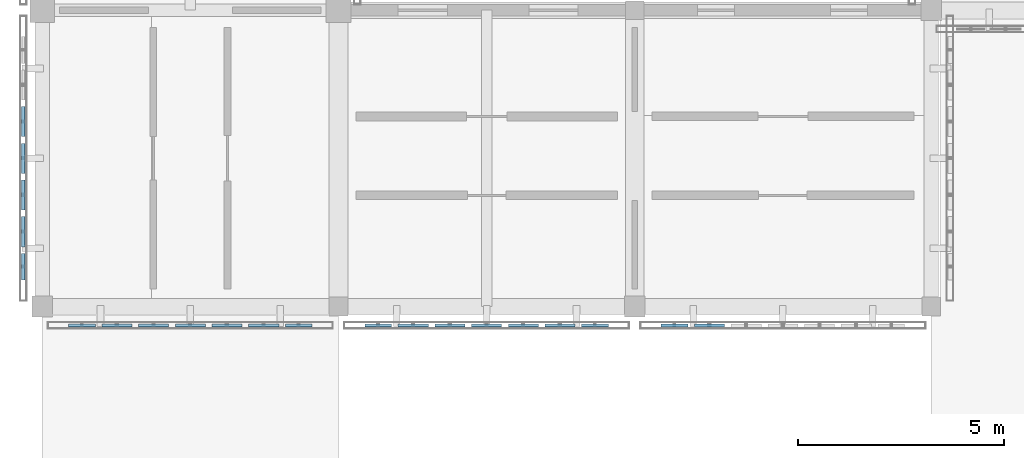
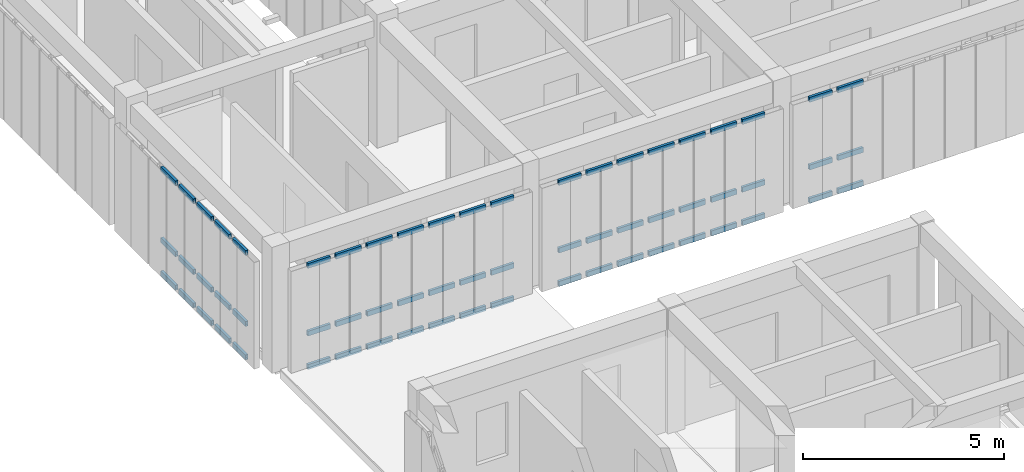
# One storey, part 16 of 67: 63 members, 4 elements without a shape of their own.
"""IFC4 building model written with IfcOpenShell, lengths in metres."""

from ifc_helpers import new_model, si_unit, direction, frame, origin, origin_2d, place, context, subcontext, project, spatial, hollow_rectangle, extrude, material, material_profile, profile_set, type_object, element, aggregate, save


model = new_model("IFC4")

# Units and contexts
model_context = context("Model", 3, precision=1e-05, world=origin(), true_north=direction((0.0, 1.0)))
body_context = subcontext(model_context, "Body", "Model", "MODEL_VIEW")
ifc_project = project(units=[si_unit("LENGTHUNIT", "METRE"), si_unit("AREAUNIT", "SQUARE_METRE"), si_unit("VOLUMEUNIT", "CUBIC_METRE"), si_unit("PLANEANGLEUNIT", "RADIAN"), si_unit("MASSUNIT", "GRAM", prefix="KILO")], contexts=[model_context])

# Site, building, storey
site_placement = place(None, origin())
site = spatial("IfcSite", under=ifc_project, at=site_placement, CompositionType="ELEMENT")
building_placement = place(site_placement, origin())
building = spatial("IfcBuilding", under=site, at=building_placement, Name="Aldebral Square Health Centre", CompositionType="ELEMENT")
storey_placement = place(building_placement, frame((0.0, 0.0, 13.5)))
storey = spatial("IfcBuildingStorey", under=building, at=storey_placement, Name="L03", CompositionType="ELEMENT", Elevation=13.5)

# Curtain wall, members
ifc_material_1 = material(Name="Aluminium and low-E solar glass", Category="aluminium")
curtain_wall_type = type_object("IfcCurtainWallType", Name="CW-FIN-SYS", PredefinedType="USERDEFINED", material=ifc_material_1)
curtain_wall_1_placement = place(storey_placement, origin())
curtain_wall_1 = element("IfcCurtainWall", 1, at=curtain_wall_1_placement, inside=storey, type_object=curtain_wall_type, Name="L03 V4 finned curtain wall L03-V4-00-08-S", ObjectType="SOLAR_CURTAIN_WALL", PredefinedType="USERDEFINED")
ifc_material_2 = material(Name="Anodised aluminium transom", Category="aluminium")
ifc_material_profile = material_profile(ifc_material_2, hollow_rectangle(XDim=0.074951171875, YDim=0.14990234375, WallThickness=0.00390625, at=origin_2d()), Name="CWT 75x150x4")
ifc_profile_set = profile_set([ifc_material_profile], Name="Anodised aluminium transom")
member_type = type_object("IfcMemberType", Name="CWT-STD", PredefinedType="USERDEFINED", material=ifc_profile_set)
member_1_placement = place(storey_placement, frame((0.639892578125, 57.139892578125, 0.03759765625), z_axis=(1.0, 0.0, 0.0), x_axis=(0.0, 1.0, 0.0)))
member_1 = element("IfcMember", 2, at=member_1_placement, type_object=member_type, Name="CW1 transom 1.1", ObjectType="TRANSOM", PredefinedType="USERDEFINED", context=body_context, shape_type="SweptSolid", body=[
    extrude(hollow_rectangle(XDim=0.074951171875, YDim=0.14990234375, WallThickness=0.00390625, at=origin_2d()), origin(), (0.0, 0.0, 1.0), 0.651611328125),
])
member_2_placement = place(storey_placement, frame((0.639892578125, 57.139892578125, 1.050048828125), z_axis=(1.0, 0.0, 0.0), x_axis=(0.0, 1.0, 0.0)))
member_2 = element("IfcMember", 3, at=member_2_placement, type_object=member_type, Name="CW1 transom 1.2", ObjectType="TRANSOM", PredefinedType="USERDEFINED", context=body_context, shape_type="SweptSolid", body=[
    extrude(hollow_rectangle(XDim=0.074951171875, YDim=0.14990234375, WallThickness=0.00390625, at=origin_2d()), origin(), (0.0, 0.0, 1.0), 0.651611328125),
])
member_3_placement = place(storey_placement, frame((0.639892578125, 57.139892578125, 3.1025390625), z_axis=(1.0, 0.0, 0.0), x_axis=(0.0, 1.0, 0.0)))
member_3 = element("IfcMember", 4, at=member_3_placement, type_object=member_type, Name="CW1 transom 1.3", ObjectType="TRANSOM", PredefinedType="USERDEFINED", context=body_context, shape_type="SweptSolid", body=[
    extrude(hollow_rectangle(XDim=0.074951171875, YDim=0.14990234375, WallThickness=0.00390625, at=origin_2d()), origin(), (0.0, 0.0, 1.0), 0.651611328125),
])
member_4_placement = place(storey_placement, frame((1.451416015625, 57.139892578125, 0.03759765625), z_axis=(1.0, 0.0, 0.0), x_axis=(0.0, 1.0, 0.0)))
member_4 = element("IfcMember", 5, at=member_4_placement, type_object=member_type, Name="CW1 transom 2.1", ObjectType="TRANSOM", PredefinedType="USERDEFINED", context=body_context, shape_type="SweptSolid", body=[
    extrude(hollow_rectangle(XDim=0.074951171875, YDim=0.14990234375, WallThickness=0.00390625, at=origin_2d()), origin(), (0.0, 0.0, 1.0), 0.7314453125),
])
member_5_placement = place(storey_placement, frame((1.451416015625, 57.139892578125, 1.050048828125), z_axis=(1.0, 0.0, 0.0), x_axis=(0.0, 1.0, 0.0)))
member_5 = element("IfcMember", 6, at=member_5_placement, type_object=member_type, Name="CW1 transom 2.2", ObjectType="TRANSOM", PredefinedType="USERDEFINED", context=body_context, shape_type="SweptSolid", body=[
    extrude(hollow_rectangle(XDim=0.074951171875, YDim=0.14990234375, WallThickness=0.00390625, at=origin_2d()), origin(), (0.0, 0.0, 1.0), 0.7314453125),
])
member_6_placement = place(storey_placement, frame((1.451416015625, 57.139892578125, 3.1025390625), z_axis=(1.0, 0.0, 0.0), x_axis=(0.0, 1.0, 0.0)))
member_6 = element("IfcMember", 7, at=member_6_placement, type_object=member_type, Name="CW1 transom 2.3", ObjectType="TRANSOM", PredefinedType="USERDEFINED", context=body_context, shape_type="SweptSolid", body=[
    extrude(hollow_rectangle(XDim=0.074951171875, YDim=0.14990234375, WallThickness=0.00390625, at=origin_2d()), origin(), (0.0, 0.0, 1.0), 0.7314453125),
])
member_7_placement = place(storey_placement, frame((2.3427734375, 57.139892578125, 0.03759765625), z_axis=(1.0, 0.0, 0.0), x_axis=(0.0, 1.0, 0.0)))
member_7 = element("IfcMember", 8, at=member_7_placement, type_object=member_type, Name="CW1 transom 3.1", ObjectType="TRANSOM", PredefinedType="USERDEFINED", context=body_context, shape_type="SweptSolid", body=[
    extrude(hollow_rectangle(XDim=0.074951171875, YDim=0.14990234375, WallThickness=0.00390625, at=origin_2d()), origin(), (0.0, 0.0, 1.0), 0.7314453125),
])
member_8_placement = place(storey_placement, frame((2.3427734375, 57.139892578125, 1.050048828125), z_axis=(1.0, 0.0, 0.0), x_axis=(0.0, 1.0, 0.0)))
member_8 = element("IfcMember", 9, at=member_8_placement, type_object=member_type, Name="CW1 transom 3.2", ObjectType="TRANSOM", PredefinedType="USERDEFINED", context=body_context, shape_type="SweptSolid", body=[
    extrude(hollow_rectangle(XDim=0.074951171875, YDim=0.14990234375, WallThickness=0.00390625, at=origin_2d()), origin(), (0.0, 0.0, 1.0), 0.7314453125),
])
member_9_placement = place(storey_placement, frame((2.3427734375, 57.139892578125, 3.1025390625), z_axis=(1.0, 0.0, 0.0), x_axis=(0.0, 1.0, 0.0)))
member_9 = element("IfcMember", 10, at=member_9_placement, type_object=member_type, Name="CW1 transom 3.3", ObjectType="TRANSOM", PredefinedType="USERDEFINED", context=body_context, shape_type="SweptSolid", body=[
    extrude(hollow_rectangle(XDim=0.074951171875, YDim=0.14990234375, WallThickness=0.00390625, at=origin_2d()), origin(), (0.0, 0.0, 1.0), 0.7314453125),
])
member_10_placement = place(storey_placement, frame((3.234375, 57.139892578125, 0.03759765625), z_axis=(1.0, 0.0, 0.0), x_axis=(0.0, 1.0, 0.0)))
member_10 = element("IfcMember", 11, at=member_10_placement, type_object=member_type, Name="CW1 transom 4.1", ObjectType="TRANSOM", PredefinedType="USERDEFINED", context=body_context, shape_type="SweptSolid", body=[
    extrude(hollow_rectangle(XDim=0.074951171875, YDim=0.14990234375, WallThickness=0.00390625, at=origin_2d()), origin(), (0.0, 0.0, 1.0), 0.7314453125),
])
member_11_placement = place(storey_placement, frame((3.234375, 57.139892578125, 1.050048828125), z_axis=(1.0, 0.0, 0.0), x_axis=(0.0, 1.0, 0.0)))
member_11 = element("IfcMember", 12, at=member_11_placement, type_object=member_type, Name="CW1 transom 4.2", ObjectType="TRANSOM", PredefinedType="USERDEFINED", context=body_context, shape_type="SweptSolid", body=[
    extrude(hollow_rectangle(XDim=0.074951171875, YDim=0.14990234375, WallThickness=0.00390625, at=origin_2d()), origin(), (0.0, 0.0, 1.0), 0.7314453125),
])
member_12_placement = place(storey_placement, frame((3.234375, 57.139892578125, 3.1025390625), z_axis=(1.0, 0.0, 0.0), x_axis=(0.0, 1.0, 0.0)))
member_12 = element("IfcMember", 13, at=member_12_placement, type_object=member_type, Name="CW1 transom 4.3", ObjectType="TRANSOM", PredefinedType="USERDEFINED", context=body_context, shape_type="SweptSolid", body=[
    extrude(hollow_rectangle(XDim=0.074951171875, YDim=0.14990234375, WallThickness=0.00390625, at=origin_2d()), origin(), (0.0, 0.0, 1.0), 0.7314453125),
])
member_13_placement = place(storey_placement, frame((4.125732421875, 57.139892578125, 0.03759765625), z_axis=(1.0, 0.0, 0.0), x_axis=(0.0, 1.0, 0.0)))
member_13 = element("IfcMember", 14, at=member_13_placement, type_object=member_type, Name="CW1 transom 5.1", ObjectType="TRANSOM", PredefinedType="USERDEFINED", context=body_context, shape_type="SweptSolid", body=[
    extrude(hollow_rectangle(XDim=0.074951171875, YDim=0.14990234375, WallThickness=0.00390625, at=origin_2d()), origin(), (0.0, 0.0, 1.0), 0.7314453125),
])
member_14_placement = place(storey_placement, frame((4.125732421875, 57.139892578125, 1.050048828125), z_axis=(1.0, 0.0, 0.0), x_axis=(0.0, 1.0, 0.0)))
member_14 = element("IfcMember", 15, at=member_14_placement, type_object=member_type, Name="CW1 transom 5.2", ObjectType="TRANSOM", PredefinedType="USERDEFINED", context=body_context, shape_type="SweptSolid", body=[
    extrude(hollow_rectangle(XDim=0.074951171875, YDim=0.14990234375, WallThickness=0.00390625, at=origin_2d()), origin(), (0.0, 0.0, 1.0), 0.7314453125),
])
member_15_placement = place(storey_placement, frame((4.125732421875, 57.139892578125, 3.1025390625), z_axis=(1.0, 0.0, 0.0), x_axis=(0.0, 1.0, 0.0)))
member_15 = element("IfcMember", 16, at=member_15_placement, type_object=member_type, Name="CW1 transom 5.3", ObjectType="TRANSOM", PredefinedType="USERDEFINED", context=body_context, shape_type="SweptSolid", body=[
    extrude(hollow_rectangle(XDim=0.074951171875, YDim=0.14990234375, WallThickness=0.00390625, at=origin_2d()), origin(), (0.0, 0.0, 1.0), 0.7314453125),
])
member_16_placement = place(storey_placement, frame((5.01708984375, 57.139892578125, 0.03759765625), z_axis=(1.0, 0.0, 0.0), x_axis=(0.0, 1.0, 0.0)))
member_16 = element("IfcMember", 17, at=member_16_placement, type_object=member_type, Name="CW1 transom 6.1", ObjectType="TRANSOM", PredefinedType="USERDEFINED", context=body_context, shape_type="SweptSolid", body=[
    extrude(hollow_rectangle(XDim=0.074951171875, YDim=0.14990234375, WallThickness=0.00390625, at=origin_2d()), origin(), (0.0, 0.0, 1.0), 0.7314453125),
])
member_17_placement = place(storey_placement, frame((5.01708984375, 57.139892578125, 1.050048828125), z_axis=(1.0, 0.0, 0.0), x_axis=(0.0, 1.0, 0.0)))
member_17 = element("IfcMember", 18, at=member_17_placement, type_object=member_type, Name="CW1 transom 6.2", ObjectType="TRANSOM", PredefinedType="USERDEFINED", context=body_context, shape_type="SweptSolid", body=[
    extrude(hollow_rectangle(XDim=0.074951171875, YDim=0.14990234375, WallThickness=0.00390625, at=origin_2d()), origin(), (0.0, 0.0, 1.0), 0.7314453125),
])
member_18_placement = place(storey_placement, frame((5.01708984375, 57.139892578125, 3.1025390625), z_axis=(1.0, 0.0, 0.0), x_axis=(0.0, 1.0, 0.0)))
member_18 = element("IfcMember", 19, at=member_18_placement, type_object=member_type, Name="CW1 transom 6.3", ObjectType="TRANSOM", PredefinedType="USERDEFINED", context=body_context, shape_type="SweptSolid", body=[
    extrude(hollow_rectangle(XDim=0.074951171875, YDim=0.14990234375, WallThickness=0.00390625, at=origin_2d()), origin(), (0.0, 0.0, 1.0), 0.7314453125),
])
member_19_placement = place(storey_placement, frame((5.90869140625, 57.139892578125, 0.03759765625), z_axis=(1.0, 0.0, 0.0), x_axis=(0.0, 1.0, 0.0)))
member_19 = element("IfcMember", 20, at=member_19_placement, type_object=member_type, Name="CW1 transom 7.1", ObjectType="TRANSOM", PredefinedType="USERDEFINED", context=body_context, shape_type="SweptSolid", body=[
    extrude(hollow_rectangle(XDim=0.074951171875, YDim=0.14990234375, WallThickness=0.00390625, at=origin_2d()), origin(), (0.0, 0.0, 1.0), 0.6513671875),
])
member_20_placement = place(storey_placement, frame((5.90869140625, 57.139892578125, 1.050048828125), z_axis=(1.0, 0.0, 0.0), x_axis=(0.0, 1.0, 0.0)))
member_20 = element("IfcMember", 21, at=member_20_placement, type_object=member_type, Name="CW1 transom 7.2", ObjectType="TRANSOM", PredefinedType="USERDEFINED", context=body_context, shape_type="SweptSolid", body=[
    extrude(hollow_rectangle(XDim=0.074951171875, YDim=0.14990234375, WallThickness=0.00390625, at=origin_2d()), origin(), (0.0, 0.0, 1.0), 0.6513671875),
])
member_21_placement = place(storey_placement, frame((5.90869140625, 57.139892578125, 3.1025390625), z_axis=(1.0, 0.0, 0.0), x_axis=(0.0, 1.0, 0.0)))
member_21 = element("IfcMember", 22, at=member_21_placement, type_object=member_type, Name="CW1 transom 7.3", ObjectType="TRANSOM", PredefinedType="USERDEFINED", context=body_context, shape_type="SweptSolid", body=[
    extrude(hollow_rectangle(XDim=0.074951171875, YDim=0.14990234375, WallThickness=0.00390625, at=origin_2d()), origin(), (0.0, 0.0, 1.0), 0.6513671875),
])
aggregate(curtain_wall_1, [member_1, member_2, member_3, member_4, member_5, member_6, member_7, member_8, member_9, member_10, member_11, member_12, member_13, member_14, member_15, member_16, member_17, member_18, member_19, member_20, member_21])

curtain_wall_2_placement = place(storey_placement, origin())
curtain_wall_2 = element("IfcCurtainWall", 23, at=curtain_wall_2_placement, inside=storey, type_object=curtain_wall_type, Name="L03 V4 finned curtain wall L03-V4-00-08-W", ObjectType="SOLAR_CURTAIN_WALL", PredefinedType="USERDEFINED")
member_22_placement = place(storey_placement, frame((-0.4599609375, 62.45703125, 0.03759765625), z_axis=(0.0, -1.0, 0.0), x_axis=(1.0, 0.0, 0.0)))
member_22 = element("IfcMember", 24, at=member_22_placement, type_object=member_type, Name="CW1 transom 3.1", ObjectType="TRANSOM", PredefinedType="USERDEFINED", context=body_context, shape_type="SweptSolid", body=[
    extrude(hollow_rectangle(XDim=0.074951171875, YDim=0.14990234375, WallThickness=0.00390625, at=origin_2d()), origin(), (0.0, 0.0, 1.0), 0.731201171875),
])
member_23_placement = place(storey_placement, frame((-0.4599609375, 62.45703125, 1.050048828125), z_axis=(0.0, -1.0, 0.0), x_axis=(1.0, 0.0, 0.0)))
member_23 = element("IfcMember", 25, at=member_23_placement, type_object=member_type, Name="CW1 transom 3.2", ObjectType="TRANSOM", PredefinedType="USERDEFINED", context=body_context, shape_type="SweptSolid", body=[
    extrude(hollow_rectangle(XDim=0.074951171875, YDim=0.14990234375, WallThickness=0.00390625, at=origin_2d()), origin(), (0.0, 0.0, 1.0), 0.731201171875),
])
member_24_placement = place(storey_placement, frame((-0.4599609375, 62.45703125, 3.202392578125), z_axis=(0.0, -1.0, 0.0), x_axis=(1.0, 0.0, 0.0)))
member_24 = element("IfcMember", 26, at=member_24_placement, type_object=member_type, Name="CW1 transom 3.3", ObjectType="TRANSOM", PredefinedType="USERDEFINED", context=body_context, shape_type="SweptSolid", body=[
    extrude(hollow_rectangle(XDim=0.074951171875, YDim=0.14990234375, WallThickness=0.00390625, at=origin_2d()), origin(), (0.0, 0.0, 1.0), 0.731201171875),
])
member_25_placement = place(storey_placement, frame((-0.4599609375, 61.565673828125, 0.03759765625), z_axis=(0.0, -1.0, 0.0), x_axis=(1.0, 0.0, 0.0)))
member_25 = element("IfcMember", 27, at=member_25_placement, type_object=member_type, Name="CW1 transom 4.1", ObjectType="TRANSOM", PredefinedType="USERDEFINED", context=body_context, shape_type="SweptSolid", body=[
    extrude(hollow_rectangle(XDim=0.074951171875, YDim=0.14990234375, WallThickness=0.00390625, at=origin_2d()), origin(), (0.0, 0.0, 1.0), 0.7314453125),
])
member_26_placement = place(storey_placement, frame((-0.4599609375, 61.565673828125, 1.050048828125), z_axis=(0.0, -1.0, 0.0), x_axis=(1.0, 0.0, 0.0)))
member_26 = element("IfcMember", 28, at=member_26_placement, type_object=member_type, Name="CW1 transom 4.2", ObjectType="TRANSOM", PredefinedType="USERDEFINED", context=body_context, shape_type="SweptSolid", body=[
    extrude(hollow_rectangle(XDim=0.074951171875, YDim=0.14990234375, WallThickness=0.00390625, at=origin_2d()), origin(), (0.0, 0.0, 1.0), 0.7314453125),
])
member_27_placement = place(storey_placement, frame((-0.4599609375, 61.565673828125, 3.202392578125), z_axis=(0.0, -1.0, 0.0), x_axis=(1.0, 0.0, 0.0)))
member_27 = element("IfcMember", 29, at=member_27_placement, type_object=member_type, Name="CW1 transom 4.3", ObjectType="TRANSOM", PredefinedType="USERDEFINED", context=body_context, shape_type="SweptSolid", body=[
    extrude(hollow_rectangle(XDim=0.074951171875, YDim=0.14990234375, WallThickness=0.00390625, at=origin_2d()), origin(), (0.0, 0.0, 1.0), 0.7314453125),
])
member_28_placement = place(storey_placement, frame((-0.4599609375, 60.67431640625, 0.03759765625), z_axis=(0.0, -1.0, 0.0), x_axis=(1.0, 0.0, 0.0)))
member_28 = element("IfcMember", 30, at=member_28_placement, type_object=member_type, Name="CW1 transom 5.1", ObjectType="TRANSOM", PredefinedType="USERDEFINED", context=body_context, shape_type="SweptSolid", body=[
    extrude(hollow_rectangle(XDim=0.074951171875, YDim=0.14990234375, WallThickness=0.00390625, at=origin_2d()), origin(), (0.0, 0.0, 1.0), 0.7314453125),
])
member_29_placement = place(storey_placement, frame((-0.4599609375, 60.67431640625, 1.050048828125), z_axis=(0.0, -1.0, 0.0), x_axis=(1.0, 0.0, 0.0)))
member_29 = element("IfcMember", 31, at=member_29_placement, type_object=member_type, Name="CW1 transom 5.2", ObjectType="TRANSOM", PredefinedType="USERDEFINED", context=body_context, shape_type="SweptSolid", body=[
    extrude(hollow_rectangle(XDim=0.074951171875, YDim=0.14990234375, WallThickness=0.00390625, at=origin_2d()), origin(), (0.0, 0.0, 1.0), 0.7314453125),
])
member_30_placement = place(storey_placement, frame((-0.4599609375, 60.67431640625, 3.202392578125), z_axis=(0.0, -1.0, 0.0), x_axis=(1.0, 0.0, 0.0)))
member_30 = element("IfcMember", 32, at=member_30_placement, type_object=member_type, Name="CW1 transom 5.3", ObjectType="TRANSOM", PredefinedType="USERDEFINED", context=body_context, shape_type="SweptSolid", body=[
    extrude(hollow_rectangle(XDim=0.074951171875, YDim=0.14990234375, WallThickness=0.00390625, at=origin_2d()), origin(), (0.0, 0.0, 1.0), 0.7314453125),
])
member_31_placement = place(storey_placement, frame((-0.4599609375, 59.782958984375, 0.03759765625), z_axis=(0.0, -1.0, 0.0), x_axis=(1.0, 0.0, 0.0)))
member_31 = element("IfcMember", 33, at=member_31_placement, type_object=member_type, Name="CW1 transom 6.1", ObjectType="TRANSOM", PredefinedType="USERDEFINED", context=body_context, shape_type="SweptSolid", body=[
    extrude(hollow_rectangle(XDim=0.074951171875, YDim=0.14990234375, WallThickness=0.00390625, at=origin_2d()), origin(), (0.0, 0.0, 1.0), 0.7314453125),
])
member_32_placement = place(storey_placement, frame((-0.4599609375, 59.782958984375, 1.050048828125), z_axis=(0.0, -1.0, 0.0), x_axis=(1.0, 0.0, 0.0)))
member_32 = element("IfcMember", 34, at=member_32_placement, type_object=member_type, Name="CW1 transom 6.2", ObjectType="TRANSOM", PredefinedType="USERDEFINED", context=body_context, shape_type="SweptSolid", body=[
    extrude(hollow_rectangle(XDim=0.074951171875, YDim=0.14990234375, WallThickness=0.00390625, at=origin_2d()), origin(), (0.0, 0.0, 1.0), 0.7314453125),
])
member_33_placement = place(storey_placement, frame((-0.4599609375, 59.782958984375, 3.202392578125), z_axis=(0.0, -1.0, 0.0), x_axis=(1.0, 0.0, 0.0)))
member_33 = element("IfcMember", 35, at=member_33_placement, type_object=member_type, Name="CW1 transom 6.3", ObjectType="TRANSOM", PredefinedType="USERDEFINED", context=body_context, shape_type="SweptSolid", body=[
    extrude(hollow_rectangle(XDim=0.074951171875, YDim=0.14990234375, WallThickness=0.00390625, at=origin_2d()), origin(), (0.0, 0.0, 1.0), 0.7314453125),
])
member_34_placement = place(storey_placement, frame((-0.4599609375, 58.891357421875, 0.03759765625), z_axis=(0.0, -1.0, 0.0), x_axis=(1.0, 0.0, 0.0)))
member_34 = element("IfcMember", 36, at=member_34_placement, type_object=member_type, Name="CW1 transom 7.1", ObjectType="TRANSOM", PredefinedType="USERDEFINED", context=body_context, shape_type="SweptSolid", body=[
    extrude(hollow_rectangle(XDim=0.074951171875, YDim=0.14990234375, WallThickness=0.00390625, at=origin_2d()), origin(), (0.0, 0.0, 1.0), 0.6513671875),
])
member_35_placement = place(storey_placement, frame((-0.4599609375, 58.891357421875, 1.050048828125), z_axis=(0.0, -1.0, 0.0), x_axis=(1.0, 0.0, 0.0)))
member_35 = element("IfcMember", 37, at=member_35_placement, type_object=member_type, Name="CW1 transom 7.2", ObjectType="TRANSOM", PredefinedType="USERDEFINED", context=body_context, shape_type="SweptSolid", body=[
    extrude(hollow_rectangle(XDim=0.074951171875, YDim=0.14990234375, WallThickness=0.00390625, at=origin_2d()), origin(), (0.0, 0.0, 1.0), 0.6513671875),
])
member_36_placement = place(storey_placement, frame((-0.4599609375, 58.891357421875, 3.202392578125), z_axis=(0.0, -1.0, 0.0), x_axis=(1.0, 0.0, 0.0)))
member_36 = element("IfcMember", 38, at=member_36_placement, type_object=member_type, Name="CW1 transom 7.3", ObjectType="TRANSOM", PredefinedType="USERDEFINED", context=body_context, shape_type="SweptSolid", body=[
    extrude(hollow_rectangle(XDim=0.074951171875, YDim=0.14990234375, WallThickness=0.00390625, at=origin_2d()), origin(), (0.0, 0.0, 1.0), 0.6513671875),
])
aggregate(curtain_wall_2, [member_22, member_23, member_24, member_25, member_26, member_27, member_28, member_29, member_30, member_31, member_32, member_33, member_34, member_35, member_36])

curtain_wall_3_placement = place(storey_placement, origin())
curtain_wall_3 = element("IfcCurtainWall", 39, at=curtain_wall_3_placement, inside=storey, type_object=curtain_wall_type, Name="L03 V4 finned curtain wall L03-V4-01-08-S", ObjectType="SOLAR_CURTAIN_WALL", PredefinedType="USERDEFINED")
member_37_placement = place(storey_placement, frame((7.840087890625, 57.139892578125, 0.03759765625), z_axis=(1.0, 0.0, 0.0), x_axis=(0.0, 1.0, 0.0)))
member_37 = element("IfcMember", 40, at=member_37_placement, type_object=member_type, Name="CW1 transom 1.1", ObjectType="TRANSOM", PredefinedType="USERDEFINED", context=body_context, shape_type="SweptSolid", body=[
    extrude(hollow_rectangle(XDim=0.074951171875, YDim=0.14990234375, WallThickness=0.00390625, at=origin_2d()), origin(), (0.0, 0.0, 1.0), 0.6513671875),
])
member_38_placement = place(storey_placement, frame((7.840087890625, 57.139892578125, 1.050048828125), z_axis=(1.0, 0.0, 0.0), x_axis=(0.0, 1.0, 0.0)))
member_38 = element("IfcMember", 41, at=member_38_placement, type_object=member_type, Name="CW1 transom 1.2", ObjectType="TRANSOM", PredefinedType="USERDEFINED", context=body_context, shape_type="SweptSolid", body=[
    extrude(hollow_rectangle(XDim=0.074951171875, YDim=0.14990234375, WallThickness=0.00390625, at=origin_2d()), origin(), (0.0, 0.0, 1.0), 0.6513671875),
])
member_39_placement = place(storey_placement, frame((7.840087890625, 57.139892578125, 3.1025390625), z_axis=(1.0, 0.0, 0.0), x_axis=(0.0, 1.0, 0.0)))
member_39 = element("IfcMember", 42, at=member_39_placement, type_object=member_type, Name="CW1 transom 1.3", ObjectType="TRANSOM", PredefinedType="USERDEFINED", context=body_context, shape_type="SweptSolid", body=[
    extrude(hollow_rectangle(XDim=0.074951171875, YDim=0.14990234375, WallThickness=0.00390625, at=origin_2d()), origin(), (0.0, 0.0, 1.0), 0.6513671875),
])
member_40_placement = place(storey_placement, frame((8.6513671875, 57.139892578125, 0.03759765625), z_axis=(1.0, 0.0, 0.0), x_axis=(0.0, 1.0, 0.0)))
member_40 = element("IfcMember", 43, at=member_40_placement, type_object=member_type, Name="CW1 transom 2.1", ObjectType="TRANSOM", PredefinedType="USERDEFINED", context=body_context, shape_type="SweptSolid", body=[
    extrude(hollow_rectangle(XDim=0.074951171875, YDim=0.14990234375, WallThickness=0.00390625, at=origin_2d()), origin(), (0.0, 0.0, 1.0), 0.7314453125),
])
member_41_placement = place(storey_placement, frame((8.6513671875, 57.139892578125, 1.050048828125), z_axis=(1.0, 0.0, 0.0), x_axis=(0.0, 1.0, 0.0)))
member_41 = element("IfcMember", 44, at=member_41_placement, type_object=member_type, Name="CW1 transom 2.2", ObjectType="TRANSOM", PredefinedType="USERDEFINED", context=body_context, shape_type="SweptSolid", body=[
    extrude(hollow_rectangle(XDim=0.074951171875, YDim=0.14990234375, WallThickness=0.00390625, at=origin_2d()), origin(), (0.0, 0.0, 1.0), 0.7314453125),
])
member_42_placement = place(storey_placement, frame((8.6513671875, 57.139892578125, 3.1025390625), z_axis=(1.0, 0.0, 0.0), x_axis=(0.0, 1.0, 0.0)))
member_42 = element("IfcMember", 45, at=member_42_placement, type_object=member_type, Name="CW1 transom 2.3", ObjectType="TRANSOM", PredefinedType="USERDEFINED", context=body_context, shape_type="SweptSolid", body=[
    extrude(hollow_rectangle(XDim=0.074951171875, YDim=0.14990234375, WallThickness=0.00390625, at=origin_2d()), origin(), (0.0, 0.0, 1.0), 0.7314453125),
])
member_43_placement = place(storey_placement, frame((9.54296875, 57.139892578125, 0.03759765625), z_axis=(1.0, 0.0, 0.0), x_axis=(0.0, 1.0, 0.0)))
member_43 = element("IfcMember", 46, at=member_43_placement, type_object=member_type, Name="CW1 transom 3.1", ObjectType="TRANSOM", PredefinedType="USERDEFINED", context=body_context, shape_type="SweptSolid", body=[
    extrude(hollow_rectangle(XDim=0.074951171875, YDim=0.14990234375, WallThickness=0.00390625, at=origin_2d()), origin(), (0.0, 0.0, 1.0), 0.731201171875),
])
member_44_placement = place(storey_placement, frame((9.54296875, 57.139892578125, 1.050048828125), z_axis=(1.0, 0.0, 0.0), x_axis=(0.0, 1.0, 0.0)))
member_44 = element("IfcMember", 47, at=member_44_placement, type_object=member_type, Name="CW1 transom 3.2", ObjectType="TRANSOM", PredefinedType="USERDEFINED", context=body_context, shape_type="SweptSolid", body=[
    extrude(hollow_rectangle(XDim=0.074951171875, YDim=0.14990234375, WallThickness=0.00390625, at=origin_2d()), origin(), (0.0, 0.0, 1.0), 0.731201171875),
])
member_45_placement = place(storey_placement, frame((9.54296875, 57.139892578125, 3.1025390625), z_axis=(1.0, 0.0, 0.0), x_axis=(0.0, 1.0, 0.0)))
member_45 = element("IfcMember", 48, at=member_45_placement, type_object=member_type, Name="CW1 transom 3.3", ObjectType="TRANSOM", PredefinedType="USERDEFINED", context=body_context, shape_type="SweptSolid", body=[
    extrude(hollow_rectangle(XDim=0.074951171875, YDim=0.14990234375, WallThickness=0.00390625, at=origin_2d()), origin(), (0.0, 0.0, 1.0), 0.731201171875),
])
member_46_placement = place(storey_placement, frame((10.434326171875, 57.139892578125, 0.03759765625), z_axis=(1.0, 0.0, 0.0), x_axis=(0.0, 1.0, 0.0)))
member_46 = element("IfcMember", 49, at=member_46_placement, type_object=member_type, Name="CW1 transom 4.1", ObjectType="TRANSOM", PredefinedType="USERDEFINED", context=body_context, shape_type="SweptSolid", body=[
    extrude(hollow_rectangle(XDim=0.074951171875, YDim=0.14990234375, WallThickness=0.00390625, at=origin_2d()), origin(), (0.0, 0.0, 1.0), 0.7314453125),
])
member_47_placement = place(storey_placement, frame((10.434326171875, 57.139892578125, 1.050048828125), z_axis=(1.0, 0.0, 0.0), x_axis=(0.0, 1.0, 0.0)))
member_47 = element("IfcMember", 50, at=member_47_placement, type_object=member_type, Name="CW1 transom 4.2", ObjectType="TRANSOM", PredefinedType="USERDEFINED", context=body_context, shape_type="SweptSolid", body=[
    extrude(hollow_rectangle(XDim=0.074951171875, YDim=0.14990234375, WallThickness=0.00390625, at=origin_2d()), origin(), (0.0, 0.0, 1.0), 0.7314453125),
])
member_48_placement = place(storey_placement, frame((10.434326171875, 57.139892578125, 3.1025390625), z_axis=(1.0, 0.0, 0.0), x_axis=(0.0, 1.0, 0.0)))
member_48 = element("IfcMember", 51, at=member_48_placement, type_object=member_type, Name="CW1 transom 4.3", ObjectType="TRANSOM", PredefinedType="USERDEFINED", context=body_context, shape_type="SweptSolid", body=[
    extrude(hollow_rectangle(XDim=0.074951171875, YDim=0.14990234375, WallThickness=0.00390625, at=origin_2d()), origin(), (0.0, 0.0, 1.0), 0.7314453125),
])
member_49_placement = place(storey_placement, frame((11.32568359375, 57.139892578125, 0.03759765625), z_axis=(1.0, 0.0, 0.0), x_axis=(0.0, 1.0, 0.0)))
member_49 = element("IfcMember", 52, at=member_49_placement, type_object=member_type, Name="CW1 transom 5.1", ObjectType="TRANSOM", PredefinedType="USERDEFINED", context=body_context, shape_type="SweptSolid", body=[
    extrude(hollow_rectangle(XDim=0.074951171875, YDim=0.14990234375, WallThickness=0.00390625, at=origin_2d()), origin(), (0.0, 0.0, 1.0), 0.7314453125),
])
member_50_placement = place(storey_placement, frame((11.32568359375, 57.139892578125, 1.050048828125), z_axis=(1.0, 0.0, 0.0), x_axis=(0.0, 1.0, 0.0)))
member_50 = element("IfcMember", 53, at=member_50_placement, type_object=member_type, Name="CW1 transom 5.2", ObjectType="TRANSOM", PredefinedType="USERDEFINED", context=body_context, shape_type="SweptSolid", body=[
    extrude(hollow_rectangle(XDim=0.074951171875, YDim=0.14990234375, WallThickness=0.00390625, at=origin_2d()), origin(), (0.0, 0.0, 1.0), 0.7314453125),
])
member_51_placement = place(storey_placement, frame((11.32568359375, 57.139892578125, 3.1025390625), z_axis=(1.0, 0.0, 0.0), x_axis=(0.0, 1.0, 0.0)))
member_51 = element("IfcMember", 54, at=member_51_placement, type_object=member_type, Name="CW1 transom 5.3", ObjectType="TRANSOM", PredefinedType="USERDEFINED", context=body_context, shape_type="SweptSolid", body=[
    extrude(hollow_rectangle(XDim=0.074951171875, YDim=0.14990234375, WallThickness=0.00390625, at=origin_2d()), origin(), (0.0, 0.0, 1.0), 0.7314453125),
])
member_52_placement = place(storey_placement, frame((12.217041015625, 57.139892578125, 0.03759765625), z_axis=(1.0, 0.0, 0.0), x_axis=(0.0, 1.0, 0.0)))
member_52 = element("IfcMember", 55, at=member_52_placement, type_object=member_type, Name="CW1 transom 6.1", ObjectType="TRANSOM", PredefinedType="USERDEFINED", context=body_context, shape_type="SweptSolid", body=[
    extrude(hollow_rectangle(XDim=0.074951171875, YDim=0.14990234375, WallThickness=0.00390625, at=origin_2d()), origin(), (0.0, 0.0, 1.0), 0.7314453125),
])
member_53_placement = place(storey_placement, frame((12.217041015625, 57.139892578125, 1.050048828125), z_axis=(1.0, 0.0, 0.0), x_axis=(0.0, 1.0, 0.0)))
member_53 = element("IfcMember", 56, at=member_53_placement, type_object=member_type, Name="CW1 transom 6.2", ObjectType="TRANSOM", PredefinedType="USERDEFINED", context=body_context, shape_type="SweptSolid", body=[
    extrude(hollow_rectangle(XDim=0.074951171875, YDim=0.14990234375, WallThickness=0.00390625, at=origin_2d()), origin(), (0.0, 0.0, 1.0), 0.7314453125),
])
member_54_placement = place(storey_placement, frame((12.217041015625, 57.139892578125, 3.1025390625), z_axis=(1.0, 0.0, 0.0), x_axis=(0.0, 1.0, 0.0)))
member_54 = element("IfcMember", 57, at=member_54_placement, type_object=member_type, Name="CW1 transom 6.3", ObjectType="TRANSOM", PredefinedType="USERDEFINED", context=body_context, shape_type="SweptSolid", body=[
    extrude(hollow_rectangle(XDim=0.074951171875, YDim=0.14990234375, WallThickness=0.00390625, at=origin_2d()), origin(), (0.0, 0.0, 1.0), 0.7314453125),
])
member_55_placement = place(storey_placement, frame((13.108642578125, 57.139892578125, 0.03759765625), z_axis=(1.0, 0.0, 0.0), x_axis=(0.0, 1.0, 0.0)))
member_55 = element("IfcMember", 58, at=member_55_placement, type_object=member_type, Name="CW1 transom 7.1", ObjectType="TRANSOM", PredefinedType="USERDEFINED", context=body_context, shape_type="SweptSolid", body=[
    extrude(hollow_rectangle(XDim=0.074951171875, YDim=0.14990234375, WallThickness=0.00390625, at=origin_2d()), origin(), (0.0, 0.0, 1.0), 0.6513671875),
])
member_56_placement = place(storey_placement, frame((13.108642578125, 57.139892578125, 1.050048828125), z_axis=(1.0, 0.0, 0.0), x_axis=(0.0, 1.0, 0.0)))
member_56 = element("IfcMember", 59, at=member_56_placement, type_object=member_type, Name="CW1 transom 7.2", ObjectType="TRANSOM", PredefinedType="USERDEFINED", context=body_context, shape_type="SweptSolid", body=[
    extrude(hollow_rectangle(XDim=0.074951171875, YDim=0.14990234375, WallThickness=0.00390625, at=origin_2d()), origin(), (0.0, 0.0, 1.0), 0.6513671875),
])
member_57_placement = place(storey_placement, frame((13.108642578125, 57.139892578125, 3.1025390625), z_axis=(1.0, 0.0, 0.0), x_axis=(0.0, 1.0, 0.0)))
member_57 = element("IfcMember", 60, at=member_57_placement, type_object=member_type, Name="CW1 transom 7.3", ObjectType="TRANSOM", PredefinedType="USERDEFINED", context=body_context, shape_type="SweptSolid", body=[
    extrude(hollow_rectangle(XDim=0.074951171875, YDim=0.14990234375, WallThickness=0.00390625, at=origin_2d()), origin(), (0.0, 0.0, 1.0), 0.6513671875),
])
aggregate(curtain_wall_3, [member_37, member_38, member_39, member_40, member_41, member_42, member_43, member_44, member_45, member_46, member_47, member_48, member_49, member_50, member_51, member_52, member_53, member_54, member_55, member_56, member_57])

curtain_wall_4_placement = place(storey_placement, origin())
curtain_wall_4 = element("IfcCurtainWall", 61, at=curtain_wall_4_placement, inside=storey, type_object=curtain_wall_type, Name="L03 V4 finned curtain wall L03-V4-02-08-S", ObjectType="SOLAR_CURTAIN_WALL", PredefinedType="USERDEFINED")
member_58_placement = place(storey_placement, frame((15.0400390625, 57.139892578125, 0.03759765625), z_axis=(1.0, 0.0, 0.0), x_axis=(0.0, 1.0, 0.0)))
member_58 = element("IfcMember", 62, at=member_58_placement, type_object=member_type, Name="CW1 transom 1.1", ObjectType="TRANSOM", PredefinedType="USERDEFINED", context=body_context, shape_type="SweptSolid", body=[
    extrude(hollow_rectangle(XDim=0.074951171875, YDim=0.14990234375, WallThickness=0.00390625, at=origin_2d()), origin(), (0.0, 0.0, 1.0), 0.6513671875),
])
member_59_placement = place(storey_placement, frame((15.0400390625, 57.139892578125, 1.050048828125), z_axis=(1.0, 0.0, 0.0), x_axis=(0.0, 1.0, 0.0)))
member_59 = element("IfcMember", 63, at=member_59_placement, type_object=member_type, Name="CW1 transom 1.2", ObjectType="TRANSOM", PredefinedType="USERDEFINED", context=body_context, shape_type="SweptSolid", body=[
    extrude(hollow_rectangle(XDim=0.074951171875, YDim=0.14990234375, WallThickness=0.00390625, at=origin_2d()), origin(), (0.0, 0.0, 1.0), 0.6513671875),
])
member_60_placement = place(storey_placement, frame((15.0400390625, 57.139892578125, 3.1025390625), z_axis=(1.0, 0.0, 0.0), x_axis=(0.0, 1.0, 0.0)))
member_60 = element("IfcMember", 64, at=member_60_placement, type_object=member_type, Name="CW1 transom 1.3", ObjectType="TRANSOM", PredefinedType="USERDEFINED", context=body_context, shape_type="SweptSolid", body=[
    extrude(hollow_rectangle(XDim=0.074951171875, YDim=0.14990234375, WallThickness=0.00390625, at=origin_2d()), origin(), (0.0, 0.0, 1.0), 0.6513671875),
])
member_61_placement = place(storey_placement, frame((15.851318359375, 57.139892578125, 0.03759765625), z_axis=(1.0, 0.0, 0.0), x_axis=(0.0, 1.0, 0.0)))
member_61 = element("IfcMember", 65, at=member_61_placement, type_object=member_type, Name="CW1 transom 2.1", ObjectType="TRANSOM", PredefinedType="USERDEFINED", context=body_context, shape_type="SweptSolid", body=[
    extrude(hollow_rectangle(XDim=0.074951171875, YDim=0.14990234375, WallThickness=0.00390625, at=origin_2d()), origin(), (0.0, 0.0, 1.0), 0.7314453125),
])
member_62_placement = place(storey_placement, frame((15.851318359375, 57.139892578125, 1.050048828125), z_axis=(1.0, 0.0, 0.0), x_axis=(0.0, 1.0, 0.0)))
member_62 = element("IfcMember", 66, at=member_62_placement, type_object=member_type, Name="CW1 transom 2.2", ObjectType="TRANSOM", PredefinedType="USERDEFINED", context=body_context, shape_type="SweptSolid", body=[
    extrude(hollow_rectangle(XDim=0.074951171875, YDim=0.14990234375, WallThickness=0.00390625, at=origin_2d()), origin(), (0.0, 0.0, 1.0), 0.7314453125),
])
member_63_placement = place(storey_placement, frame((15.851318359375, 57.139892578125, 3.1025390625), z_axis=(1.0, 0.0, 0.0), x_axis=(0.0, 1.0, 0.0)))
member_63 = element("IfcMember", 67, at=member_63_placement, type_object=member_type, Name="CW1 transom 2.3", ObjectType="TRANSOM", PredefinedType="USERDEFINED", context=body_context, shape_type="SweptSolid", body=[
    extrude(hollow_rectangle(XDim=0.074951171875, YDim=0.14990234375, WallThickness=0.00390625, at=origin_2d()), origin(), (0.0, 0.0, 1.0), 0.7314453125),
])
aggregate(curtain_wall_4, [member_58, member_59, member_60, member_61, member_62, member_63])

save(model, "model.ifc")
